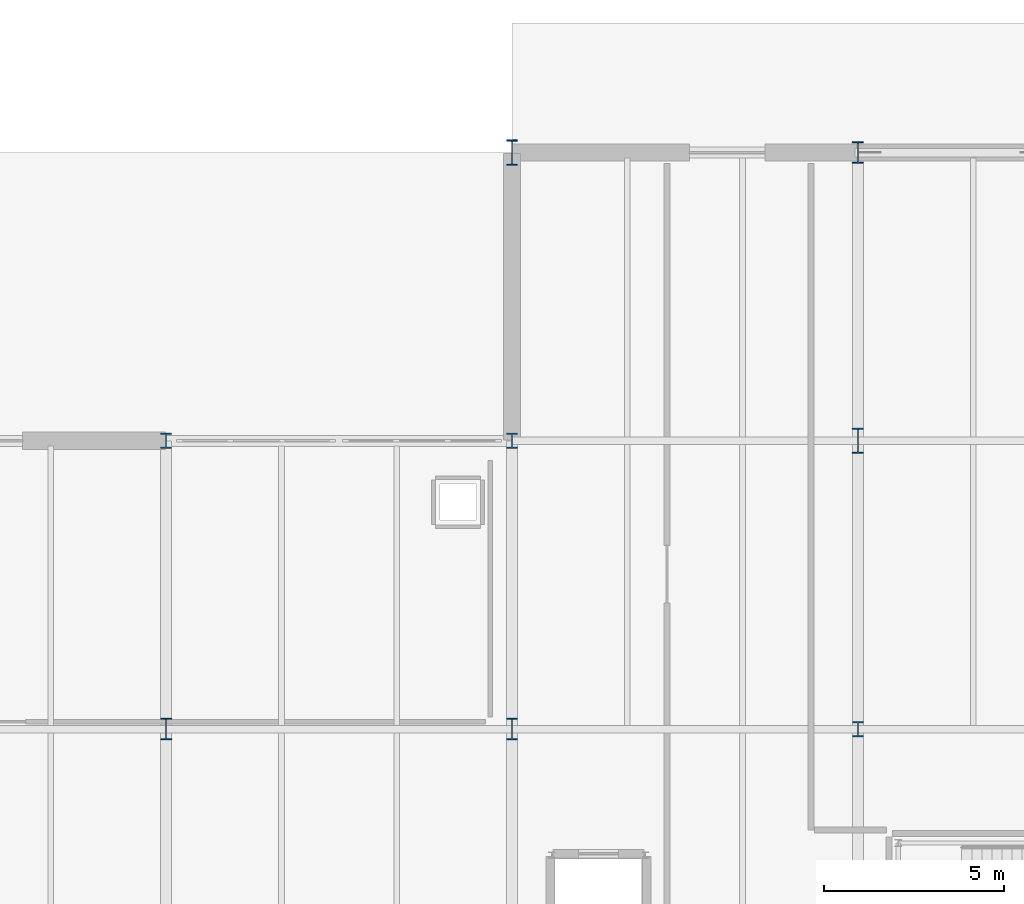
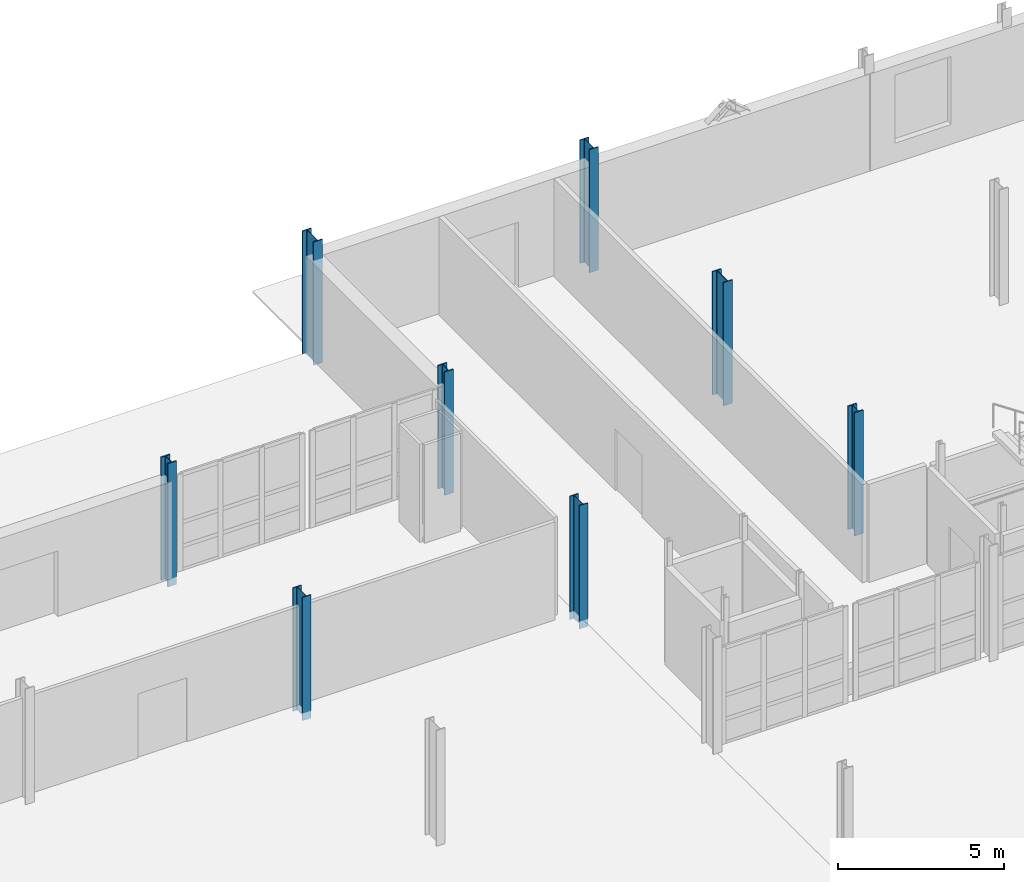
# One storey, part 21 of 78: 8 columns.
"""IFC4 building model written with IfcOpenShell, lengths in metres."""

from ifc_helpers import new_model, si_unit, direction, frame, origin, origin_2d, place, context, subcontext, project, spatial, i_section, extrude, material, material_profile, profile_set, type_object, element, save


model = new_model("IFC4")

# Units and contexts
model_context = context("Model", 3, precision=1e-05, world=origin(), true_north=direction((0.0, 1.0)))
body_context = subcontext(model_context, "Body", "Model", "MODEL_VIEW")
ifc_project = project(units=[si_unit("LENGTHUNIT", "METRE"), si_unit("AREAUNIT", "SQUARE_METRE"), si_unit("VOLUMEUNIT", "CUBIC_METRE"), si_unit("PLANEANGLEUNIT", "RADIAN"), si_unit("MASSUNIT", "GRAM", prefix="KILO")], contexts=[model_context])

# Site, building, storey
site_placement = place(None, origin())
site = spatial("IfcSite", under=ifc_project, at=site_placement, CompositionType="ELEMENT")
building_placement = place(site_placement, origin())
building = spatial("IfcBuilding", under=site, at=building_placement, Name="Alderhovde Museum", CompositionType="ELEMENT")
storey_placement = place(building_placement, origin())
storey = spatial("IfcBuildingStorey", under=building, at=storey_placement, Name="L00", CompositionType="ELEMENT", Elevation=0.0)

# Columns
ifc_material_1 = material(Name="Steel S355J2", Category="steel")
ifc_material_profile_1 = material_profile(ifc_material_1, i_section(OverallWidth=0.300048828125, OverallDepth=0.60009765625, WebThickness=0.015380859375, FlangeThickness=0.030029296875, FilletRadius=0.027099609375, at=origin_2d()), Name="HEB 600")
ifc_profile_set_1 = profile_set([ifc_material_profile_1], Name="Steel S355J2")
column_type_1 = type_object("IfcColumnType", Name="COL-HEB600", PredefinedType="COLUMN", material=ifc_profile_set_1)
for number, where, z_axis, x_axis, name in (
    (1, (105.60009765625, 80.0, -0.280029296875), (0.0, 0.0, 1.0), (1.0, 0.0, 0.0), "L00 Column (105.6, 80.0)"),
    (2, (115.199951171875, 80.0, -0.280029296875), (0.0, 0.0, 1.0), (1.0, 0.0, 0.0), "L00 Column (115.2, 80.0)"),
    (3, (124.800048828125, 96.0, -0.280029296875), (0.0, 0.0, 1.0), (1.0, 0.0, 0.0), "L00 Column (124.8, 96.0)"),
):
    element("IfcColumn", number, at=place(storey_placement, frame(where, z_axis=z_axis, x_axis=x_axis)), inside=storey, type_object=column_type_1, Name=name, PredefinedType="COLUMN", context=body_context, shape_type="SweptSolid", body=[
        extrude(i_section(OverallWidth=0.300048828125, OverallDepth=0.60009765625, WebThickness=0.015380859375, FlangeThickness=0.030029296875, FilletRadius=0.027099609375, at=origin_2d()), origin(), (0.0, 0.0, 1.0), 4.52001953125),
    ])
ifc_material_2 = material(Name="Steel S355J2", Category="steel")
ifc_material_profile_2 = material_profile(ifc_material_2, i_section(OverallWidth=0.300048828125, OverallDepth=0.699951171875, WebThickness=0.01708984375, FlangeThickness=0.031982421875, FilletRadius=0.027099609375, at=origin_2d()), Name="HEB 700")
ifc_profile_set_2 = profile_set([ifc_material_profile_2], Name="Steel S355J2")
column_type_2 = type_object("IfcColumnType", Name="COL-HEB700", PredefinedType="COLUMN", material=ifc_profile_set_2)
for number, where, z_axis, x_axis, name in (
    (4, (115.199951171875, 96.0, -0.280029296875), (0.0, 0.0, 1.0), (1.0, 0.0, 0.0), "L00 Column (115.2, 96.0)"),
    (5, (124.800048828125, 88.0, -0.280029296875), (0.0, 0.0, 1.0), (1.0, 0.0, 0.0), "L00 Column (124.8, 88.0)"),
):
    element("IfcColumn", number, at=place(storey_placement, frame(where, z_axis=z_axis, x_axis=x_axis)), inside=storey, type_object=column_type_2, Name=name, PredefinedType="COLUMN", context=body_context, shape_type="SweptSolid", body=[
        extrude(i_section(OverallWidth=0.300048828125, OverallDepth=0.699951171875, WebThickness=0.01708984375, FlangeThickness=0.031982421875, FilletRadius=0.027099609375, at=origin_2d()), origin(), (0.0, 0.0, 1.0), 4.52001953125),
    ])
ifc_material_3 = material(Name="Steel S355J2", Category="steel")
ifc_material_profile_3 = material_profile(ifc_material_3, i_section(OverallWidth=0.306884765625, OverallDepth=0.431884765625, WebThickness=0.02099609375, FlangeThickness=0.0400390625, FilletRadius=0.027099609375, at=origin_2d()), Name="HEM 400")
ifc_profile_set_3 = profile_set([ifc_material_profile_3], Name="Steel S355J2")
column_type_3 = type_object("IfcColumnType", Name="COL-HEM400", PredefinedType="COLUMN", material=ifc_profile_set_3)
for number, where, z_axis, x_axis, name in (
    (6, (105.60009765625, 88.0, -0.280029296875), (0.0, 0.0, 1.0), (1.0, 0.0, 0.0), "L00 Column (105.6, 88.0)"),
    (7, (115.199951171875, 88.0, -0.280029296875), (0.0, 0.0, 1.0), (1.0, 0.0, 0.0), "L00 Column (115.2, 88.0)"),
    (8, (124.800048828125, 80.0, -0.280029296875), (0.0, 0.0, 1.0), (1.0, 0.0, 0.0), "L00 Column (124.8, 80.0)"),
):
    element("IfcColumn", number, at=place(storey_placement, frame(where, z_axis=z_axis, x_axis=x_axis)), inside=storey, type_object=column_type_3, Name=name, PredefinedType="COLUMN", context=body_context, shape_type="SweptSolid", body=[
        extrude(i_section(OverallWidth=0.306884765625, OverallDepth=0.431884765625, WebThickness=0.02099609375, FlangeThickness=0.0400390625, FilletRadius=0.027099609375, at=origin_2d()), origin(), (0.0, 0.0, 1.0), 4.52001953125),
    ])

save(model, "model.ifc")
